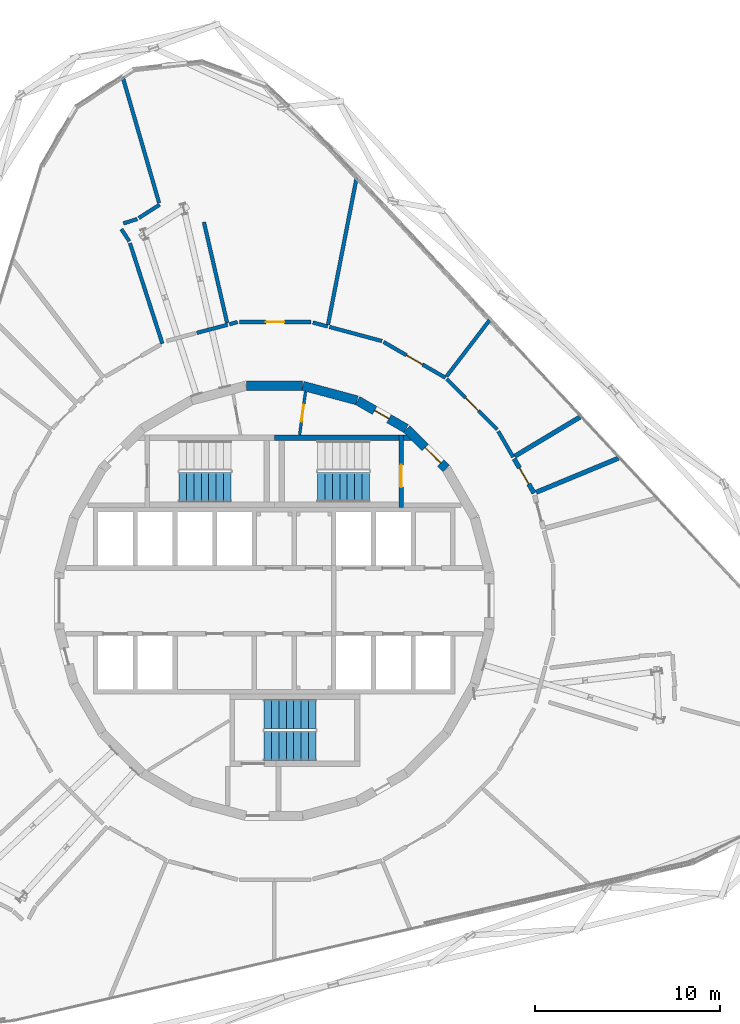
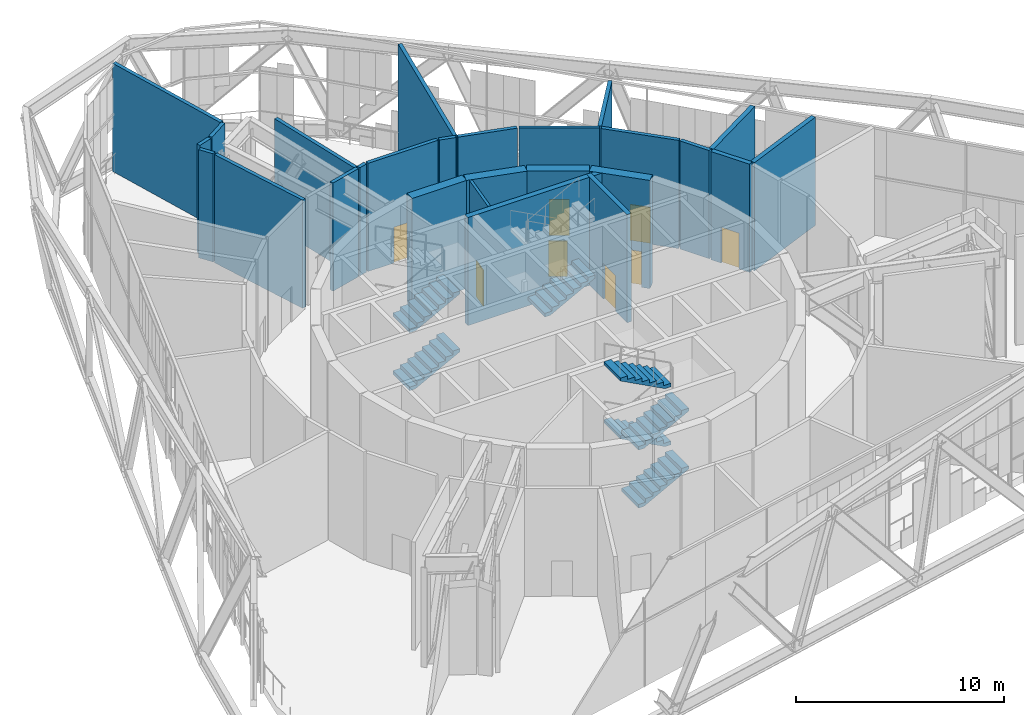
# One storey, part 22 of 25: 27 walls, 8 doors, 7 stair flights, 8 openings, 3 elements without a shape of their own.
"""IFC4 building model written with IfcOpenShell, lengths in metres."""

from ifc_helpers import new_model, si_unit, direction, frame, frame_2d, origin, place, context, subcontext, project, spatial, polyline, rectangle, outline, extrude, material, layer, layer_set, type_object, element, fill, aggregate, save


model = new_model("IFC4")

# Units and contexts
model_context = context("Model", 3, precision=1e-05, world=origin(), true_north=direction((0.0, 1.0)))
body_context = subcontext(model_context, "Body", "Model", "MODEL_VIEW")
ifc_project = project(units=[si_unit("LENGTHUNIT", "METRE"), si_unit("AREAUNIT", "SQUARE_METRE"), si_unit("VOLUMEUNIT", "CUBIC_METRE"), si_unit("PLANEANGLEUNIT", "RADIAN"), si_unit("MASSUNIT", "GRAM", prefix="KILO")], contexts=[model_context])

# Site, building, storey
site_placement = place(None, origin())
site = spatial("IfcSite", under=ifc_project, at=site_placement, CompositionType="ELEMENT")
building_placement = place(site_placement, origin())
building = spatial("IfcBuilding", under=site, at=building_placement, Name="Spindle Arch Residences", CompositionType="ELEMENT")
storey_placement = place(building_placement, frame((0.0, 0.0, 144.89990234375)))
storey = spatial("IfcBuildingStorey", under=building, at=storey_placement, Name="L36", CompositionType="ELEMENT", Elevation=144.89990234375)

# Wall, opening, door
ifc_material_1 = material(Name="Concrete C50/60", Category="concrete")
ifc_layer_1 = layer(ifc_material_1, 0.5)
ifc_layer_set_1 = layer_set([ifc_layer_1], Name="Core outline wall 500")
wall_type_1 = type_object("IfcWallType", Name="Core outline wall 500", PredefinedType="SHEAR", material=ifc_layer_set_1)
wall_1_placement = place(storey_placement, frame((9.30810546875, 7.163818359375, 0.0), z_axis=(0.0, 0.0, 1.0), x_axis=(-0.707106781187, 0.707106781187, 0.0)))
wall_1 = element("IfcWall", 1, at=wall_1_placement, inside=storey, type_object=wall_type_1, Name="Core outline wall 9", PredefinedType="SHEAR", context=body_context, shape_type="SweptSolid", body=[
    extrude(rectangle(XDim=3.032470703125, YDim=0.5, at=frame_2d((1.51611328125, 0.0))), origin(), (0.0, 0.0, 1.0), 6.35009765625),
])
opening_1_placement = place(wall_1_placement, frame((0.416259765625, 0.0, 0.0)))
opening_1 = element("IfcOpeningElement", 2, at=opening_1_placement, cuts=wall_1, Name="Opening L36-AD01", PredefinedType="OPENING", context=body_context, shape_type="SweptSolid", body=[
    extrude(rectangle(XDim=1.199951171875, YDim=2.10009765625, at=frame_2d((0.60009765625, 1.050048828125))), frame((0.0, 0.260009765625, 0.0), z_axis=(0.0, -1.0, 0.0), x_axis=(1.0, 0.0, 0.0)), (0.0, 0.0, 1.0), 0.52001953125),
])
ifc_material_2 = material(Name="Steel, fire-resisting door", Category="steel")
door_type_1 = type_object("IfcDoorType", Name="Stair airlock door 1200x2100", OperationType="SINGLE_SWING_LEFT", PredefinedType="DOOR", material=ifc_material_2)
door_1_placement = place(opening_1_placement, origin())
door_1 = element("IfcDoor", 3, at=door_1_placement, inside=storey, type_object=door_type_1, Name="Stair airlock door L36-AD01", OperationType="SINGLE_SWING_RIGHT", OverallHeight=2.10009765625, OverallWidth=1.199951171875, PredefinedType="DOOR", context=body_context, shape_type="SweptSolid", body=[
    extrude(rectangle(XDim=1.199951171875, YDim=2.10009765625, at=frame_2d((0.60009765625, 1.050048828125))), frame((0.0, 0.02490234375, 0.0), z_axis=(0.0, -1.0, 0.0), x_axis=(1.0, 0.0, 0.0)), (0.0, 0.0, 1.0), 0.050048828125),
])
fill(opening_1, door_1)

wall_2_placement = place(storey_placement, frame((7.13671875, 9.32861328125, 0.0), z_axis=(0.0, 0.0, 1.0), x_axis=(-0.865975092491, 0.500087131594, 0.0)))
wall_2 = element("IfcWall", 4, at=wall_2_placement, inside=storey, type_object=wall_type_1, Name="Core outline wall 10", PredefinedType="SHEAR", context=body_context, shape_type="SweptSolid", body=[
    extrude(rectangle(XDim=3.03271484375, YDim=0.5, at=frame_2d((1.516357421875, 0.0))), origin(), (0.0, 0.0, 1.0), 6.35009765625),
])
opening_2_placement = place(wall_2_placement, frame((1.06640625, 0.0, 0.0)))
opening_2 = element("IfcOpeningElement", 5, at=opening_2_placement, cuts=wall_2, Name="Opening L36-WD12", PredefinedType="OPENING", context=body_context, shape_type="SweptSolid", body=[
    extrude(rectangle(XDim=0.89990234375, YDim=2.10009765625, at=frame_2d((0.449951171875, 1.050048828125))), frame((0.0, 0.260009765625, 0.0), z_axis=(0.0, -1.0, 0.0), x_axis=(1.0, 0.0, 0.0)), (0.0, 0.0, 1.0), 0.52001953125),
])
ifc_material_3 = material(Name="Steel, fire-resisting door", Category="steel")
door_type_2 = type_object("IfcDoorType", Name="Service room door 900x2100", OperationType="SINGLE_SWING_LEFT", PredefinedType="DOOR", material=ifc_material_3)
door_2_placement = place(opening_2_placement, origin())
door_2 = element("IfcDoor", 6, at=door_2_placement, inside=storey, type_object=door_type_2, Name="Service room door L36-WD12", OperationType="SINGLE_SWING_LEFT", OverallHeight=2.10009765625, OverallWidth=0.89990234375, PredefinedType="DOOR", context=body_context, shape_type="SweptSolid", body=[
    extrude(rectangle(XDim=0.89990234375, YDim=2.10009765625, at=frame_2d((0.449951171875, 1.050048828125))), frame((0.0, 0.02490234375, 0.0), z_axis=(0.0, -1.0, 0.0), x_axis=(1.0, 0.0, 0.0)), (0.0, 0.0, 1.0), 0.050048828125),
])
fill(opening_2, door_2)

# Walls
for number, where, z_axis, x_axis, name in (
    (7, (4.479248046875, 10.858154296875, 0.0), (0.0, 0.0, 1.0), (-0.965948410781, 0.258734743916, 0.0), "Core outline wall 11"),
    (8, (1.516357421875, 11.647216796875, 0.0), (0.0, 0.0, 1.0), (-1.0, 0.0, 0.0), "Core outline wall 12"),
):
    element("IfcWall", number, at=place(storey_placement, frame(where, z_axis=z_axis, x_axis=x_axis)), inside=storey, type_object=wall_type_1, Name=name, PredefinedType="SHEAR", context=body_context, shape_type="SweptSolid", body=[
        extrude(rectangle(XDim=3.03271484375, YDim=0.5, at=frame_2d((1.516357421875, 0.0))), origin(), (0.0, 0.0, 1.0), 6.35009765625),
    ])
ifc_material_4 = material(Name="Concrete C25/30 wall", Category="concrete")
ifc_layer_2 = layer(ifc_material_4, 0.25)
ifc_layer_set_2 = layer_set([ifc_layer_2], Name="Partition EI 120 250 plant")
wall_type_2 = type_object("IfcWallType", Name="Partition EI 120 250 plant", PredefinedType="PARTITIONING", material=ifc_layer_set_2)
wall_3_placement = place(storey_placement, frame((13.025634765625, 7.83154296875, 0.0), z_axis=(0.0, 0.0, 1.0), x_axis=(0.85708928412, 0.515167894037, 0.0)))
element("IfcWall", 9, at=wall_3_placement, inside=storey, type_object=wall_type_2, Name="L36-W054", PredefinedType="PARTITIONING", context=body_context, shape_type="SweptSolid", body=[
    extrude(rectangle(XDim=4.112060546875, YDim=0.25, at=frame_2d((2.05615234375, 0.0))), origin(), (0.0, 0.0, 1.0), 6.35009765625),
])

# Wall, opening, door
wall_4_placement = place(storey_placement, frame((14.070068359375, 5.830078125, 0.0), z_axis=(0.0, 0.0, 1.0), x_axis=(-0.501416067615, 0.865206291666, 0.0)))
wall_4 = element("IfcWall", 10, at=wall_4_placement, inside=storey, type_object=wall_type_2, Name="L36-W055", PredefinedType="PARTITIONING", context=body_context, shape_type="SweptSolid", body=[
    extrude(rectangle(XDim=2.153564453125, YDim=0.25, at=frame_2d((1.07666015625, 0.0))), origin(), (0.0, 0.0, 1.0), 6.35009765625),
])
opening_3_placement = place(wall_4_placement, frame((0.576904296875, 0.0, 0.0)))
opening_3 = element("IfcOpeningElement", 11, at=opening_3_placement, cuts=wall_4, Name="Opening L36-D10", PredefinedType="OPENING", context=body_context, shape_type="SweptSolid", body=[
    extrude(rectangle(XDim=1.0, YDim=2.10009765625, at=frame_2d((0.5, 1.050048828125))), frame((0.0, 0.135009765625, 0.0), z_axis=(0.0, -1.0, 0.0), x_axis=(1.0, 0.0, 0.0)), (0.0, 0.0, 1.0), 0.27001953125),
])
ifc_material_5 = material(Name="Steel door leaf, painted", Category="steel")
door_type_3 = type_object("IfcDoorType", Name="Door 1000x2100 EI 60", OperationType="SINGLE_SWING_LEFT", PredefinedType="DOOR", material=ifc_material_5)
door_3_placement = place(opening_3_placement, origin())
door_3 = element("IfcDoor", 12, at=door_3_placement, inside=storey, type_object=door_type_3, Name="L36-D10", OperationType="SINGLE_SWING_LEFT", OverallHeight=2.10009765625, OverallWidth=1.0, PredefinedType="DOOR", context=body_context, shape_type="SweptSolid", body=[
    extrude(rectangle(XDim=1.0, YDim=2.10009765625, at=frame_2d((0.5, 1.050048828125))), frame((0.0, 0.02490234375, 0.0), z_axis=(0.0, -1.0, 0.0), x_axis=(1.0, 0.0, 0.0)), (0.0, 0.0, 1.0), 0.050048828125),
])
fill(opening_3, door_3)

# Walls
wall_5_placement = place(storey_placement, frame((14.185546875, 5.8779296875, 0.0), z_axis=(0.0, 0.0, 1.0), x_axis=(0.923795968244, 0.382885112085, 0.0)))
element("IfcWall", 13, at=wall_5_placement, inside=storey, type_object=wall_type_2, Name="L36-W056", PredefinedType="PARTITIONING", context=body_context, shape_type="SweptSolid", body=[
    extrude(rectangle(XDim=4.81103515625, YDim=0.25, at=frame_2d((2.405517578125, 0.0))), origin(), (0.0, 0.0, 1.0), 6.35009765625),
])
ifc_material_6 = material(Name="Gypsum board partition on steel studs", Category="steel")
ifc_layer_3 = layer(ifc_material_6, 0.199951171875)
ifc_layer_set_3 = layer_set([ifc_layer_3], Name="Partition EI 60 200 amenity")
wall_type_3 = type_object("IfcWallType", Name="Partition EI 60 200 amenity", PredefinedType="PARTITIONING", material=ifc_layer_set_3)
wall_6_placement = place(storey_placement, frame((-8.280029296875, 20.1298828125, 0.0), z_axis=(0.0, 0.0, 1.0), x_axis=(0.545870586018, -0.83786950256, 0.0)))
element("IfcWall", 14, at=wall_6_placement, inside=storey, type_object=wall_type_3, Name="L36-W024", PredefinedType="PARTITIONING", context=body_context, shape_type="SweptSolid", body=[
    extrude(rectangle(XDim=0.78759765625, YDim=0.199951171875, at=frame_2d((0.393798828125, 0.0))), origin(), (0.0, 0.0, 1.0), 6.35009765625),
])
wall_7_placement = place(storey_placement, frame((-7.8193359375, 19.374755859375, 0.0), z_axis=(0.0, 0.0, 1.0), x_axis=(0.307459013015, -0.951561325042, 0.0)))
element("IfcWall", 15, at=wall_7_placement, inside=storey, type_object=wall_type_3, Name="L36-W025", PredefinedType="PARTITIONING", context=body_context, shape_type="SweptSolid", body=[
    extrude(rectangle(XDim=5.721923828125, YDim=0.199951171875, at=frame_2d((2.86083984375, 0.0))), origin(), (0.0, 0.0, 1.0), 6.35009765625),
])
wall_8_placement = place(storey_placement, frame((-7.419921875, 20.679931640625, 0.0), z_axis=(0.0, 0.0, 1.0), x_axis=(-0.95242774696, -0.304764477624, 0.0)))
element("IfcWall", 16, at=wall_8_placement, inside=storey, type_object=wall_type_3, Name="L36-W026", PredefinedType="PARTITIONING", context=body_context, shape_type="SweptSolid", body=[
    extrude(rectangle(XDim=0.787353515625, YDim=0.199951171875, at=frame_2d((0.3935546875, 0.0))), origin(), (0.0, 0.0, 1.0), 6.35009765625),
])
wall_9_placement = place(storey_placement, frame((-7.335693359375, 20.73388671875, 0.0), z_axis=(0.0, 0.0, 1.0), x_axis=(0.842258116514, 0.539074452341, 0.0)))
element("IfcWall", 17, at=wall_9_placement, inside=storey, type_object=wall_type_3, Name="L36-W027", PredefinedType="PARTITIONING", context=body_context, shape_type="SweptSolid", body=[
    extrude(rectangle(XDim=1.335205078125, YDim=0.199951171875, at=frame_2d((0.66748046875, 0.0))), origin(), (0.0, 0.0, 1.0), 6.35009765625),
])
wall_10_placement = place(storey_placement, frame((-6.23876953125, 21.5498046875, 0.0), z_axis=(0.0, 0.0, 1.0), x_axis=(-0.277633208202, 0.960687150795, 0.0)))
element("IfcWall", 18, at=wall_10_placement, inside=storey, type_object=wall_type_3, Name="L36-W028", PredefinedType="PARTITIONING", context=body_context, shape_type="SweptSolid", body=[
    extrude(rectangle(XDim=7.172119140625, YDim=0.199951171875, at=frame_2d((3.5859375, 0.0))), origin(), (0.0, 0.0, 1.0), 6.35009765625),
])
wall_11_placement = place(storey_placement, frame((-2.530029296875, 14.949951171875, 0.0), z_axis=(0.0, 0.0, 1.0), x_axis=(-0.967004912384, -0.254757726918, 0.0)))
element("IfcWall", 19, at=wall_11_placement, inside=storey, type_object=wall_type_3, Name="L36-W033", PredefinedType="PARTITIONING", context=body_context, shape_type="SweptSolid", body=[
    extrude(rectangle(XDim=1.726806640625, YDim=0.199951171875, at=frame_2d((0.86328125, 0.0))), origin(), (0.0, 0.0, 1.0), 6.35009765625),
])
wall_12_placement = place(storey_placement, frame((-2.552490234375, 15.04736328125, 0.0), z_axis=(0.0, 0.0, 1.0), x_axis=(-0.224509812838, 0.974471828192, 0.0)))
element("IfcWall", 20, at=wall_12_placement, inside=storey, type_object=wall_type_3, Name="L36-W034", PredefinedType="PARTITIONING", context=body_context, shape_type="SweptSolid", body=[
    extrude(rectangle(XDim=5.60888671875, YDim=0.199951171875, at=frame_2d((2.804443359375, 0.0))), origin(), (0.0, 0.0, 1.0), 6.35009765625),
])
wall_13_placement = place(storey_placement, frame((-1.989990234375, 15.10009765625, 0.0), z_axis=(0.0, 0.0, 1.0), x_axis=(-0.963479915785, -0.267780604002, 0.0)))
element("IfcWall", 21, at=wall_13_placement, inside=storey, type_object=wall_type_3, Name="L36-W036", PredefinedType="PARTITIONING", context=body_context, shape_type="SweptSolid", body=[
    extrude(rectangle(XDim=0.46044921875, YDim=0.199951171875, at=frame_2d((0.230224609375, 0.0))), origin(), (0.0, 0.0, 1.0), 6.35009765625),
])

# Wall, opening, door
wall_14_placement = place(storey_placement, frame((1.989990234375, 15.10009765625, 0.0), z_axis=(0.0, 0.0, 1.0), x_axis=(-1.0, 0.0, 0.0)))
wall_14 = element("IfcWall", 22, at=wall_14_placement, inside=storey, type_object=wall_type_3, Name="L36-W040", PredefinedType="PARTITIONING", context=body_context, shape_type="SweptSolid", body=[
    extrude(rectangle(XDim=3.8798828125, YDim=0.199951171875, at=frame_2d((1.93994140625, 0.0))), origin(), (0.0, 0.0, 1.0), 6.35009765625),
])
opening_4_placement = place(wall_14_placement, frame((1.43994140625, 0.0, 0.0)))
opening_4 = element("IfcOpeningElement", 23, at=opening_4_placement, cuts=wall_14, Name="Opening L36-D17", PredefinedType="OPENING", context=body_context, shape_type="SweptSolid", body=[
    extrude(rectangle(XDim=1.0, YDim=2.10009765625, at=frame_2d((0.5, 1.050048828125))), frame((0.0, 0.10986328125, 0.0), z_axis=(0.0, -1.0, 0.0), x_axis=(1.0, 0.0, 0.0)), (0.0, 0.0, 1.0), 0.219970703125),
])
ifc_material_7 = material(Name="Timber door leaf", Category="wood")
door_type_4 = type_object("IfcDoorType", Name="Door 1000x2100 EI 30", OperationType="SINGLE_SWING_LEFT", PredefinedType="DOOR", material=ifc_material_7)
door_4_placement = place(opening_4_placement, origin())
door_4 = element("IfcDoor", 24, at=door_4_placement, inside=storey, type_object=door_type_4, Name="L36-D17", OperationType="SINGLE_SWING_LEFT", OverallHeight=2.10009765625, OverallWidth=1.0, PredefinedType="DOOR", context=body_context, shape_type="SweptSolid", body=[
    extrude(rectangle(XDim=1.0, YDim=2.10009765625, at=frame_2d((0.5, 1.050048828125))), frame((0.0, 0.02490234375, 0.0), z_axis=(0.0, -1.0, 0.0), x_axis=(1.0, 0.0, 0.0)), (0.0, 0.0, 1.0), 0.050048828125),
])
fill(opening_4, door_4)

# Walls
wall_15_placement = place(storey_placement, frame((2.889892578125, 14.860107421875, 0.0), z_axis=(0.0, 0.0, 1.0), x_axis=(-0.966259308377, 0.257571250288, 0.0)))
element("IfcWall", 25, at=wall_15_placement, inside=storey, type_object=wall_type_3, Name="L36-W041", PredefinedType="PARTITIONING", context=body_context, shape_type="SweptSolid", body=[
    extrude(rectangle(XDim=0.831298828125, YDim=0.199951171875, at=frame_2d((0.41552734375, 0.0))), origin(), (0.0, 0.0, 1.0), 6.35009765625),
])
wall_16_placement = place(storey_placement, frame((4.4599609375, 22.919921875, 0.0), z_axis=(0.0, 0.0, 1.0), x_axis=(-0.191187868841, -0.981553462022, 0.0)))
element("IfcWall", 26, at=wall_16_placement, inside=storey, type_object=wall_type_3, Name="L36-W042", PredefinedType="PARTITIONING", context=body_context, shape_type="SweptSolid", body=[
    extrude(rectangle(XDim=8.111328125, YDim=0.199951171875, at=frame_2d((4.0556640625, 0.0))), origin(), (0.0, 0.0, 1.0), 6.35009765625),
])
wall_17_placement = place(storey_placement, frame((5.830078125, 14.070068359375, 0.0), z_axis=(0.0, 0.0, 1.0), x_axis=(-0.965755722544, 0.259453048497, 0.0)))
element("IfcWall", 27, at=wall_17_placement, inside=storey, type_object=wall_type_3, Name="L36-W045", PredefinedType="PARTITIONING", context=body_context, shape_type="SweptSolid", body=[
    extrude(rectangle(XDim=2.9443359375, YDim=0.199951171875, at=frame_2d((1.47216796875, 0.0))), origin(), (0.0, 0.0, 1.0), 6.35009765625),
])

# Wall, opening, door
wall_18_placement = place(storey_placement, frame((9.27001953125, 12.080078125, 0.0), z_axis=(0.0, 0.0, 1.0), x_axis=(-0.865601686425, 0.500733182901, 0.0)))
wall_18 = element("IfcWall", 28, at=wall_18_placement, inside=storey, type_object=wall_type_3, Name="L36-W047", PredefinedType="PARTITIONING", context=body_context, shape_type="SweptSolid", body=[
    extrude(rectangle(XDim=3.874267578125, YDim=0.199951171875, at=frame_2d((1.93701171875, 0.0))), origin(), (0.0, 0.0, 1.0), 6.35009765625),
])
opening_5_placement = place(wall_18_placement, frame((1.43701171875, 0.0, 0.0)))
opening_5 = element("IfcOpeningElement", 29, at=opening_5_placement, cuts=wall_18, Name="Opening L36-D15", PredefinedType="OPENING", context=body_context, shape_type="SweptSolid", body=[
    extrude(rectangle(XDim=1.0, YDim=2.10009765625, at=frame_2d((0.5, 1.050048828125))), frame((0.0, 0.10986328125, 0.0), z_axis=(0.0, -1.0, 0.0), x_axis=(1.0, 0.0, 0.0)), (0.0, 0.0, 1.0), 0.219970703125),
])
door_5_placement = place(opening_5_placement, origin())
door_5 = element("IfcDoor", 30, at=door_5_placement, inside=storey, type_object=door_type_4, Name="L36-D15", OperationType="SINGLE_SWING_LEFT", OverallHeight=2.10009765625, OverallWidth=1.0, PredefinedType="DOOR", context=body_context, shape_type="SweptSolid", body=[
    extrude(rectangle(XDim=1.0, YDim=2.10009765625, at=frame_2d((0.5, 1.050048828125))), frame((0.0, 0.02490234375, 0.0), z_axis=(0.0, -1.0, 0.0), x_axis=(1.0, 0.0, 0.0)), (0.0, 0.0, 1.0), 0.050048828125),
])
fill(opening_5, door_5)

# Wall
wall_19_placement = place(storey_placement, frame((9.330810546875, 12.159423828125, 0.0), z_axis=(0.0, 0.0, 1.0), x_axis=(0.608107648531, 0.793854575976, 0.0)))
element("IfcWall", 31, at=wall_19_placement, inside=storey, type_object=wall_type_3, Name="L36-W048", PredefinedType="PARTITIONING", context=body_context, shape_type="SweptSolid", body=[
    extrude(rectangle(XDim=3.830078125, YDim=0.199951171875, at=frame_2d((1.9150390625, 0.0))), origin(), (0.0, 0.0, 1.0), 6.35009765625),
])

# Wall, opening, door
wall_20_placement = place(storey_placement, frame((12.080078125, 9.27001953125, 0.0), z_axis=(0.0, 0.0, 1.0), x_axis=(-0.707106781187, 0.707106781187, 0.0)))
wall_20 = element("IfcWall", 32, at=wall_20_placement, inside=storey, type_object=wall_type_3, Name="L36-W052", PredefinedType="PARTITIONING", context=body_context, shape_type="SweptSolid", body=[
    extrude(rectangle(XDim=3.873779296875, YDim=0.199951171875, at=frame_2d((1.93701171875, 0.0))), origin(), (0.0, 0.0, 1.0), 6.35009765625),
])
opening_6_placement = place(wall_20_placement, frame((1.43701171875, 0.0, 0.0)))
opening_6 = element("IfcOpeningElement", 33, at=opening_6_placement, cuts=wall_20, Name="Opening L36-D12", PredefinedType="OPENING", context=body_context, shape_type="SweptSolid", body=[
    extrude(rectangle(XDim=1.0, YDim=2.10009765625, at=frame_2d((0.5, 1.050048828125))), frame((0.0, 0.10986328125, 0.0), z_axis=(0.0, -1.0, 0.0), x_axis=(1.0, 0.0, 0.0)), (0.0, 0.0, 1.0), 0.219970703125),
])
door_6_placement = place(opening_6_placement, origin())
door_6 = element("IfcDoor", 34, at=door_6_placement, inside=storey, type_object=door_type_4, Name="L36-D12", OperationType="SINGLE_SWING_LEFT", OverallHeight=2.10009765625, OverallWidth=1.0, PredefinedType="DOOR", context=body_context, shape_type="SweptSolid", body=[
    extrude(rectangle(XDim=1.0, YDim=2.10009765625, at=frame_2d((0.5, 1.050048828125))), frame((0.0, 0.02490234375, 0.0), z_axis=(0.0, -1.0, 0.0), x_axis=(1.0, 0.0, 0.0)), (0.0, 0.0, 1.0), 0.050048828125),
])
fill(opening_6, door_6)

# Wall
wall_21_placement = place(storey_placement, frame((12.93994140625, 7.780029296875, 0.0), z_axis=(0.0, 0.0, 1.0), x_axis=(-0.499931139538, 0.866065156741, 0.0)))
element("IfcWall", 35, at=wall_21_placement, inside=storey, type_object=wall_type_3, Name="L36-W053", PredefinedType="PARTITIONING", context=body_context, shape_type="SweptSolid", body=[
    extrude(rectangle(XDim=1.620361328125, YDim=0.199951171875, at=frame_2d((0.81005859375, 0.0))), origin(), (0.0, 0.0, 1.0), 6.35009765625),
])

# Wall, opening, door
ifc_material_8 = material(Name="Concrete C25/30", Category="concrete")
ifc_layer_4 = layer(ifc_material_8, 0.14990234375)
ifc_layer_set_4 = layer_set([ifc_layer_4], Name="Service room partition 150")
wall_type_4 = type_object("IfcWallType", Name="Service room partition 150", PredefinedType="PARTITIONING", material=ifc_layer_set_4)
wall_22_placement = place(storey_placement, frame((1.69091796875, 11.32568359375, 0.0), z_axis=(0.0, 0.0, 1.0), x_axis=(-0.135344253201, -0.990798633994, 0.0)))
wall_22 = element("IfcWall", 36, at=wall_22_placement, inside=storey, type_object=wall_type_4, Name="Core service room partition", PredefinedType="PARTITIONING", context=body_context, shape_type="SweptSolid", body=[
    extrude(rectangle(XDim=2.357666015625, YDim=0.14990234375, at=frame_2d((1.1787109375, 0.0))), origin(), (0.0, 0.0, 1.0), 6.35009765625),
])
opening_7_placement = place(wall_22_placement, frame((0.728759765625, 0.0, 0.0)))
opening_7 = element("IfcOpeningElement", 37, at=opening_7_placement, cuts=wall_22, Name="Opening L36-WD08", PredefinedType="OPENING", context=body_context, shape_type="SweptSolid", body=[
    extrude(rectangle(XDim=0.89990234375, YDim=2.10009765625, at=frame_2d((0.449951171875, 1.050048828125))), frame((0.0, 0.0849609375, 0.0), z_axis=(0.0, -1.0, 0.0), x_axis=(1.0, 0.0, 0.0)), (0.0, 0.0, 1.0), 0.169921875),
])
door_7_placement = place(opening_7_placement, origin())
door_7 = element("IfcDoor", 38, at=door_7_placement, inside=storey, type_object=door_type_2, Name="Service room door L36-WD08", OperationType="SINGLE_SWING_LEFT", OverallHeight=2.10009765625, OverallWidth=0.89990234375, PredefinedType="DOOR", context=body_context, shape_type="SweptSolid", body=[
    extrude(rectangle(XDim=0.89990234375, YDim=2.10009765625, at=frame_2d((0.449951171875, 1.050048828125))), frame((0.0, 0.02490234375, 0.0), z_axis=(0.0, -1.0, 0.0), x_axis=(1.0, 0.0, 0.0)), (0.0, 0.0, 1.0), 0.050048828125),
])
fill(opening_7, door_7)

# Wall
ifc_material_9 = material(Name="Concrete C40/50", Category="concrete")
wall_type_5 = type_object("IfcWallType", Name="Stair airlock wall profile", PredefinedType="SHEAR", material=ifc_material_9)
wall_23_placement = place(storey_placement, origin())
element("IfcWall", 39, at=wall_23_placement, inside=storey, type_object=wall_type_5, Name="Stair ST-1 airlock wall N", PredefinedType="SHEAR", context=body_context, shape_type="SweptSolid", body=[
    extrude(outline(polyline([(7.4482421875, 8.669921875), (7.0, 8.669921875), (7.0, 8.969970703125), (7.148193359375, 8.969970703125), (7.4482421875, 8.669921875)])), origin(), (0.0, 0.0, 1.0), 6.35009765625),
])

# Wall, opening, door
ifc_material_10 = material(Name="Concrete C50/60", Category="concrete")
ifc_layer_5 = layer(ifc_material_10, 0.25)
ifc_layer_set_5 = layer_set([ifc_layer_5], Name="Stair enclosure wall 250")
wall_type_6 = type_object("IfcWallType", Name="Stair enclosure wall 250", PredefinedType="SHEAR", material=ifc_layer_set_5)
wall_24_placement = place(storey_placement, frame((6.875, 5.050048828125, 0.0), z_axis=(0.0, 0.0, 1.0), x_axis=(0.0, 1.0, 0.0)))
wall_24 = element("IfcWall", 40, at=wall_24_placement, inside=storey, type_object=wall_type_6, Name="Stair ST-1 door wall", PredefinedType="SHEAR", context=body_context, shape_type="SweptSolid", body=[
    extrude(rectangle(XDim=3.919921875, YDim=0.25, at=frame_2d((1.9599609375, 0.0))), origin(), (0.0, 0.0, 1.0), 6.35009765625),
])
opening_8_placement = place(wall_24_placement, frame((1.110107421875, 0.0, 0.0)))
opening_8 = element("IfcOpeningElement", 41, at=opening_8_placement, cuts=wall_24, Name="Opening L36-SD01", PredefinedType="OPENING", context=body_context, shape_type="SweptSolid", body=[
    extrude(rectangle(XDim=1.199951171875, YDim=2.10009765625, at=frame_2d((0.60009765625, 1.050048828125))), frame((0.0, 0.135009765625, 0.0), z_axis=(0.0, -1.0, 0.0), x_axis=(1.0, 0.0, 0.0)), (0.0, 0.0, 1.0), 0.27001953125),
])
ifc_material_11 = material(Name="Steel, fire-resisting door", Category="steel")
door_type_5 = type_object("IfcDoorType", Name="Stair door 1200x2100", OperationType="SINGLE_SWING_RIGHT", PredefinedType="DOOR", material=ifc_material_11)
door_8_placement = place(opening_8_placement, origin())
door_8 = element("IfcDoor", 42, at=door_8_placement, inside=storey, type_object=door_type_5, Name="Stair door L36-SD01", OperationType="SINGLE_SWING_LEFT", OverallHeight=2.10009765625, OverallWidth=1.199951171875, PredefinedType="DOOR", context=body_context, shape_type="SweptSolid", body=[
    extrude(rectangle(XDim=1.199951171875, YDim=2.10009765625, at=frame_2d((0.60009765625, 1.050048828125))), frame((0.0, 0.02490234375, 0.0), z_axis=(0.0, -1.0, 0.0), x_axis=(1.0, 0.0, 0.0)), (0.0, 0.0, 1.0), 0.050048828125),
])
fill(opening_8, door_8)

# Wall
ifc_material_12 = material(Name="Concrete C50/60", Category="concrete")
ifc_layer_6 = layer(ifc_material_12, 0.300048828125)
ifc_layer_set_6 = layer_set([ifc_layer_6], Name="Stair enclosure wall 300")
wall_type_7 = type_object("IfcWallType", Name="Stair enclosure wall 300", PredefinedType="SHEAR", material=ifc_layer_set_6)
wall_25_placement = place(storey_placement, frame((0.0, 8.820068359375, 0.0), z_axis=(0.0, 0.0, 1.0), x_axis=(1.0, 0.0, 0.0)))
element("IfcWall", 43, at=wall_25_placement, inside=storey, type_object=wall_type_7, Name="Stair ST-1 enclosure wall N", PredefinedType="SHEAR", context=body_context, shape_type="SweptSolid", body=[
    extrude(rectangle(XDim=6.75, YDim=0.300048828125, at=frame_2d((3.375, 0.0))), origin(), (0.0, 0.0, 1.0), 6.35009765625),
])

# Stair, stair flight
ifc_material_13 = material(Name="Concrete C50/60", Category="concrete")
stair_type = type_object("IfcStairType", Name="Exit stair 32 risers", PredefinedType="HALF_TURN_STAIR", material=ifc_material_13)
stair_1_placement = place(storey_placement, origin())
stair_1 = element("IfcStair", 44, at=stair_1_placement, inside=storey, type_object=stair_type, Name="L36 Exit stair ST1", PredefinedType="HALF_TURN_STAIR")
ifc_material_14 = material(Name="Concrete C50/60", Category="concrete")
stair_flight_type = type_object("IfcStairFlightType", Name="Exit stair flight", PredefinedType="STRAIGHT", material=ifc_material_14)
stair_flight_1_placement = place(storey_placement, frame((2.35009765625, 6.14990234375, 1.7001953125), z_axis=(0.0, 0.0, 1.0), x_axis=(1.0, 0.0, 0.0)))
stair_flight_1 = element("IfcStairFlight", 45, at=stair_flight_1_placement, type_object=stair_flight_type, Name="ST1 flight 2", NumberOfRisers=8, NumberOfTreads=7, PredefinedType="STRAIGHT", RiserHeight=0.2125, TreadLength=0.4, context=body_context, shape_type="SweptSolid", body=[
    extrude(outline(polyline([(0.0, 0.0), (0.0, 0.21240234375), (0.39990234375, 0.21240234375), (0.39990234375, 0.425048828125), (0.800048828125, 0.425048828125), (0.800048828125, 0.637451171875), (1.199951171875, 0.637451171875), (1.199951171875, 0.85009765625), (1.60009765625, 0.85009765625), (1.60009765625, 1.0625), (2.0, 1.0625), (2.0, 1.27490234375), (2.39990234375, 1.27490234375), (2.39990234375, 1.487548828125), (2.800048828125, 1.487548828125), (2.800048828125, 1.699951171875), (2.800048828125, 1.31787109375), (0.319580078125, 0.0), (0.0, 0.0)])), frame((0.0, 0.800048828125, 0.0), z_axis=(0.0, -1.0, 0.0), x_axis=(1.0, 0.0, 0.0)), (0.0, 0.0, 1.0), 1.60009765625),
])
aggregate(stair_1, [stair_flight_1])

# Stair, stair flights
stair_2_placement = place(storey_placement, origin())
stair_2 = element("IfcStair", 46, at=stair_2_placement, inside=storey, type_object=stair_type, Name="L36 Exit stair ST2", PredefinedType="HALF_TURN_STAIR")
stair_flight_2_placement = place(storey_placement, frame((-5.14990234375, 6.14990234375, 0.0), z_axis=(0.0, 0.0, 1.0), x_axis=(1.0, 0.0, 0.0)))
stair_flight_2 = element("IfcStairFlight", 47, at=stair_flight_2_placement, type_object=stair_flight_type, Name="ST2 flight 1", NumberOfRisers=8, NumberOfTreads=7, PredefinedType="STRAIGHT", RiserHeight=0.2125, TreadLength=0.4, context=body_context, shape_type="SweptSolid", body=[
    extrude(outline(polyline([(0.0, 0.0), (0.0, 0.21240234375), (0.39990234375, 0.21240234375), (0.39990234375, 0.425048828125), (0.800048828125, 0.425048828125), (0.800048828125, 0.637451171875), (1.199951171875, 0.637451171875), (1.199951171875, 0.85009765625), (1.60009765625, 0.85009765625), (1.60009765625, 1.0625), (2.0, 1.0625), (2.0, 1.27490234375), (2.39990234375, 1.27490234375), (2.39990234375, 1.487548828125), (2.800048828125, 1.487548828125), (2.800048828125, 1.699951171875), (2.800048828125, 1.31787109375), (0.319580078125, 0.0), (0.0, 0.0)])), frame((0.0, 0.800048828125, 0.0), z_axis=(0.0, -1.0, 0.0), x_axis=(1.0, 0.0, 0.0)), (0.0, 0.0, 1.0), 1.60009765625),
])
stair_flight_3_placement = place(storey_placement, frame((-5.14990234375, 6.14990234375, 3.400146484375), z_axis=(0.0, 0.0, 1.0), x_axis=(1.0, 0.0, 0.0)))
stair_flight_3 = element("IfcStairFlight", 48, at=stair_flight_3_placement, type_object=stair_flight_type, Name="ST2 flight 3", NumberOfRisers=8, NumberOfTreads=7, PredefinedType="STRAIGHT", RiserHeight=0.2125, TreadLength=0.4, context=body_context, shape_type="SweptSolid", body=[
    extrude(outline(polyline([(0.0, 0.0), (0.0, 0.21240234375), (0.39990234375, 0.21240234375), (0.39990234375, 0.425048828125), (0.800048828125, 0.425048828125), (0.800048828125, 0.637451171875), (1.199951171875, 0.637451171875), (1.199951171875, 0.85009765625), (1.60009765625, 0.85009765625), (1.60009765625, 1.0625), (2.0, 1.0625), (2.0, 1.27490234375), (2.39990234375, 1.27490234375), (2.39990234375, 1.487548828125), (2.800048828125, 1.487548828125), (2.800048828125, 1.699951171875), (2.800048828125, 1.31787109375), (0.319580078125, 0.0), (0.0, 0.0)])), frame((0.0, 0.800048828125, 0.0), z_axis=(0.0, -1.0, 0.0), x_axis=(1.0, 0.0, 0.0)), (0.0, 0.0, 1.0), 1.60009765625),
])
aggregate(stair_2, [stair_flight_2, stair_flight_3])

stair_3_placement = place(storey_placement, origin())
stair_3 = element("IfcStair", 49, at=stair_3_placement, inside=storey, type_object=stair_type, Name="L36 Exit stair ST3", PredefinedType="HALF_TURN_STAIR")
stair_flight_4_placement = place(storey_placement, frame((-0.550048828125, -7.8701171875, 0.0), z_axis=(0.0, 0.0, 1.0), x_axis=(1.0, 0.0, 0.0)))
stair_flight_4 = element("IfcStairFlight", 50, at=stair_flight_4_placement, type_object=stair_flight_type, Name="ST3 flight 1", NumberOfRisers=8, NumberOfTreads=7, PredefinedType="STRAIGHT", RiserHeight=0.2125, TreadLength=0.4, context=body_context, shape_type="SweptSolid", body=[
    extrude(outline(polyline([(0.0, 0.0), (0.0, 0.21240234375), (0.39990234375, 0.21240234375), (0.39990234375, 0.425048828125), (0.800048828125, 0.425048828125), (0.800048828125, 0.637451171875), (1.199951171875, 0.637451171875), (1.199951171875, 0.85009765625), (1.60009765625, 0.85009765625), (1.60009765625, 1.0625), (2.0, 1.0625), (2.0, 1.27490234375), (2.39990234375, 1.27490234375), (2.39990234375, 1.487548828125), (2.800048828125, 1.487548828125), (2.800048828125, 1.699951171875), (2.800048828125, 1.31787109375), (0.319580078125, 0.0), (0.0, 0.0)])), frame((0.0, 0.800048828125, 0.0), z_axis=(0.0, -1.0, 0.0), x_axis=(1.0, 0.0, 0.0)), (0.0, 0.0, 1.0), 1.60009765625),
])
stair_flight_5_placement = place(storey_placement, frame((2.25, -6.14990234375, 1.7001953125), z_axis=(0.0, 0.0, 1.0), x_axis=(-1.0, 0.0, 0.0)))
stair_flight_5 = element("IfcStairFlight", 51, at=stair_flight_5_placement, type_object=stair_flight_type, Name="ST3 flight 2", NumberOfRisers=8, NumberOfTreads=7, PredefinedType="STRAIGHT", RiserHeight=0.2125, TreadLength=0.4, context=body_context, shape_type="SweptSolid", body=[
    extrude(outline(polyline([(0.0, 0.0), (0.0, 0.21240234375), (0.39990234375, 0.21240234375), (0.39990234375, 0.425048828125), (0.800048828125, 0.425048828125), (0.800048828125, 0.637451171875), (1.199951171875, 0.637451171875), (1.199951171875, 0.85009765625), (1.60009765625, 0.85009765625), (1.60009765625, 1.0625), (2.0, 1.0625), (2.0, 1.27490234375), (2.39990234375, 1.27490234375), (2.39990234375, 1.487548828125), (2.800048828125, 1.487548828125), (2.800048828125, 1.699951171875), (2.800048828125, 1.31787109375), (0.319580078125, 0.0), (0.0, 0.0)])), frame((0.0, 0.800048828125, 0.0), z_axis=(0.0, -1.0, 0.0), x_axis=(1.0, 0.0, 0.0)), (0.0, 0.0, 1.0), 1.60009765625),
])
stair_flight_6_placement = place(storey_placement, frame((-0.550048828125, -7.8701171875, 3.400146484375), z_axis=(0.0, 0.0, 1.0), x_axis=(1.0, 0.0, 0.0)))
stair_flight_6 = element("IfcStairFlight", 52, at=stair_flight_6_placement, type_object=stair_flight_type, Name="ST3 flight 3", NumberOfRisers=8, NumberOfTreads=7, PredefinedType="STRAIGHT", RiserHeight=0.2125, TreadLength=0.4, context=body_context, shape_type="SweptSolid", body=[
    extrude(outline(polyline([(0.0, 0.0), (0.0, 0.21240234375), (0.39990234375, 0.21240234375), (0.39990234375, 0.425048828125), (0.800048828125, 0.425048828125), (0.800048828125, 0.637451171875), (1.199951171875, 0.637451171875), (1.199951171875, 0.85009765625), (1.60009765625, 0.85009765625), (1.60009765625, 1.0625), (2.0, 1.0625), (2.0, 1.27490234375), (2.39990234375, 1.27490234375), (2.39990234375, 1.487548828125), (2.800048828125, 1.487548828125), (2.800048828125, 1.699951171875), (2.800048828125, 1.31787109375), (0.319580078125, 0.0), (0.0, 0.0)])), frame((0.0, 0.800048828125, 0.0), z_axis=(0.0, -1.0, 0.0), x_axis=(1.0, 0.0, 0.0)), (0.0, 0.0, 1.0), 1.60009765625),
])
stair_flight_7_placement = place(storey_placement, frame((2.25, -6.14990234375, 5.10009765625), z_axis=(0.0, 0.0, 1.0), x_axis=(-1.0, 0.0, 0.0)))
stair_flight_7 = element("IfcStairFlight", 53, at=stair_flight_7_placement, type_object=stair_flight_type, Name="ST3 flight 4", NumberOfRisers=8, NumberOfTreads=7, PredefinedType="STRAIGHT", RiserHeight=0.2125, TreadLength=0.4, context=body_context, shape_type="SweptSolid", body=[
    extrude(outline(polyline([(0.0, 0.0), (0.0, 0.21240234375), (0.39990234375, 0.21240234375), (0.39990234375, 0.425048828125), (0.800048828125, 0.425048828125), (0.800048828125, 0.637451171875), (1.199951171875, 0.637451171875), (1.199951171875, 0.85009765625), (1.60009765625, 0.85009765625), (1.60009765625, 1.0625), (2.0, 1.0625), (2.0, 1.27490234375), (2.39990234375, 1.27490234375), (2.39990234375, 1.487548828125), (2.800048828125, 1.487548828125), (2.800048828125, 1.699951171875), (2.800048828125, 1.31787109375), (0.319580078125, 0.0), (0.0, 0.0)])), frame((0.0, 0.800048828125, 0.0), z_axis=(0.0, -1.0, 0.0), x_axis=(1.0, 0.0, 0.0)), (0.0, 0.0, 1.0), 1.60009765625),
])
aggregate(stair_3, [stair_flight_4, stair_flight_5, stair_flight_6, stair_flight_7])

save(model, "model.ifc")
